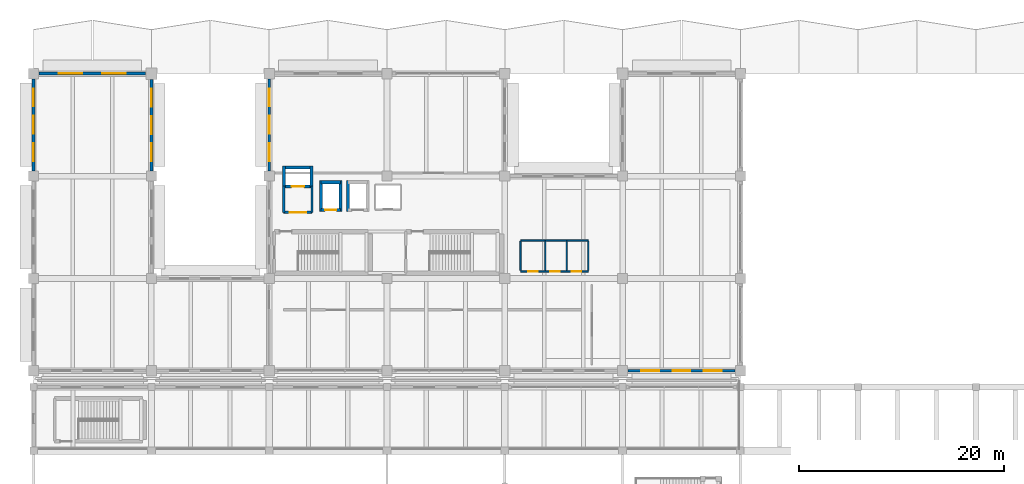
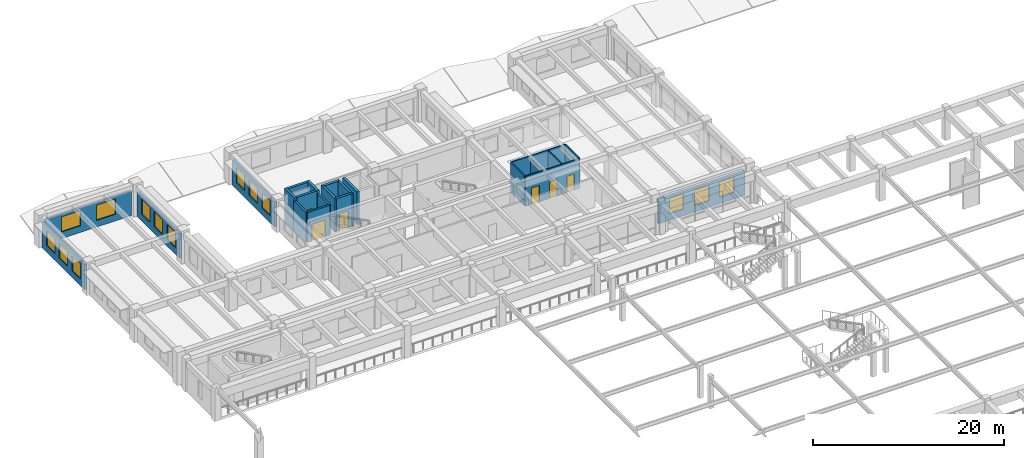
# One storey, part 74 of 98: 23 walls, 14 windows, 6 doors, 20 openings.
"""IFC4 building model written with IfcOpenShell, lengths in metres."""

from ifc_helpers import new_model, si_unit, direction, frame, frame_2d, origin, place, context, subcontext, project, spatial, rectangle, extrude, material, layer, layer_set, type_object, element, fill, save


model = new_model("IFC4")

# Units and contexts
model_context = context("Model", 3, precision=1e-05, world=origin(), true_north=direction((0.0, 1.0)))
body_context = subcontext(model_context, "Body", "Model", "MODEL_VIEW")
ifc_project = project(units=[si_unit("LENGTHUNIT", "METRE"), si_unit("AREAUNIT", "SQUARE_METRE"), si_unit("VOLUMEUNIT", "CUBIC_METRE"), si_unit("PLANEANGLEUNIT", "RADIAN"), si_unit("MASSUNIT", "GRAM", prefix="KILO")], contexts=[model_context])

# Site, building, storey
site_placement = place(None, origin())
site = spatial("IfcSite", under=ifc_project, at=site_placement, CompositionType="ELEMENT")
building_placement = place(site_placement, origin())
building = spatial("IfcBuilding", under=site, at=building_placement, Name="Ologun Quay Terminus", CompositionType="ELEMENT")
storey_placement = place(building_placement, frame((0.0, 0.0, 4.199951171875)))
storey = spatial("IfcBuildingStorey", under=building, at=storey_placement, Name="L01", CompositionType="ELEMENT", Elevation=4.199951171875)

# Wall, openings, windows
ifc_material_1 = material(Name="Concrete C40/50", Category="concrete")
ifc_layer_1 = layer(ifc_material_1, 0.280029296875)
ifc_layer_set_1 = layer_set([ifc_layer_1], Name="Concrete C40/50")
wall_type_1 = type_object("IfcWallType", Name="Courtyard Wing Spandrel Concrete Wall 280", PredefinedType="SOLIDWALL", material=ifc_layer_set_1)
wall_1_placement = place(storey_placement, frame((58.02001953125, 85.800048828125, 0.0), z_axis=(0.0, 0.0, 1.0), x_axis=(1.0, 0.0, 0.0)))
wall_1 = element("IfcWall", 1, at=wall_1_placement, inside=storey, type_object=wall_type_1, Name="EW-02 Facade Wall WEW-WW-O-L01-6", PredefinedType="SOLIDWALL", context=body_context, shape_type="SweptSolid", body=[
    extrude(rectangle(XDim=10.4599609375, YDim=0.280029296875, at=frame_2d((5.22998046875, 0.0))), origin(), (0.0, 0.0, 1.0), 3.150146484375),
])
opening_1_placement = place(wall_1_placement, frame((1.302490234375, 0.0, 0.85009765625)))
opening_1 = element("IfcOpeningElement", 2, at=opening_1_placement, cuts=wall_1, Name="Opening WN-200", PredefinedType="OPENING", context=body_context, shape_type="SweptSolid", body=[
    extrude(rectangle(XDim=1.75, YDim=1.949951171875, at=frame_2d((0.875, 0.97509765625))), frame((0.0, 0.14990234375, 0.0), z_axis=(0.0, -1.0, 0.0), x_axis=(1.0, 0.0, 0.0)), (0.0, 0.0, 1.0), 0.300048828125),
])
opening_2_placement = place(wall_1_placement, frame((4.35498046875, 0.0, 0.85009765625)))
opening_2 = element("IfcOpeningElement", 3, at=opening_2_placement, cuts=wall_1, Name="Opening WN-201", PredefinedType="OPENING", context=body_context, shape_type="SweptSolid", body=[
    extrude(rectangle(XDim=1.75, YDim=1.949951171875, at=frame_2d((0.875, 0.97509765625))), frame((0.0, 0.14990234375, 0.0), z_axis=(0.0, -1.0, 0.0), x_axis=(1.0, 0.0, 0.0)), (0.0, 0.0, 1.0), 0.300048828125),
])
opening_3_placement = place(wall_1_placement, frame((7.407470703125, 0.0, 0.85009765625)))
opening_3 = element("IfcOpeningElement", 4, at=opening_3_placement, cuts=wall_1, Name="Opening WN-202", PredefinedType="OPENING", context=body_context, shape_type="SweptSolid", body=[
    extrude(rectangle(XDim=1.75, YDim=1.949951171875, at=frame_2d((0.875, 0.97509765625))), frame((0.0, 0.14990234375, 0.0), z_axis=(0.0, -1.0, 0.0), x_axis=(1.0, 0.0, 0.0)), (0.0, 0.0, 1.0), 0.300048828125),
])
ifc_material_2 = material(Name="Glass", Category="glass")
window_type_1 = type_object("IfcWindowType", Name="Waterfront Pavilion Paired Window 1750x1950", PartitioningType="SINGLE_PANEL", PredefinedType="WINDOW", material=ifc_material_2)
window_1_placement = place(opening_1_placement, origin())
window_1 = element("IfcWindow", 5, at=window_1_placement, inside=storey, type_object=window_type_1, Name="W-12 Window WN-200", OverallHeight=1.949951171875, OverallWidth=1.75, PartitioningType="SINGLE_PANEL", PredefinedType="WINDOW", context=body_context, shape_type="SweptSolid", body=[
    extrude(rectangle(XDim=1.75, YDim=1.949951171875, at=frame_2d((0.875, 0.97509765625))), frame((0.0, 0.030029296875, 0.0), z_axis=(0.0, -1.0, 0.0), x_axis=(1.0, 0.0, 0.0)), (0.0, 0.0, 1.0), 0.06005859375),
])
fill(opening_1, window_1)
window_2_placement = place(opening_2_placement, origin())
window_2 = element("IfcWindow", 6, at=window_2_placement, inside=storey, type_object=window_type_1, Name="W-12 Window WN-201", OverallHeight=1.949951171875, OverallWidth=1.75, PartitioningType="SINGLE_PANEL", PredefinedType="WINDOW", context=body_context, shape_type="SweptSolid", body=[
    extrude(rectangle(XDim=1.75, YDim=1.949951171875, at=frame_2d((0.875, 0.97509765625))), frame((0.0, 0.030029296875, 0.0), z_axis=(0.0, -1.0, 0.0), x_axis=(1.0, 0.0, 0.0)), (0.0, 0.0, 1.0), 0.06005859375),
])
fill(opening_2, window_2)
window_3_placement = place(opening_3_placement, origin())
window_3 = element("IfcWindow", 7, at=window_3_placement, inside=storey, type_object=window_type_1, Name="W-12 Window WN-202", OverallHeight=1.949951171875, OverallWidth=1.75, PartitioningType="SINGLE_PANEL", PredefinedType="WINDOW", context=body_context, shape_type="SweptSolid", body=[
    extrude(rectangle(XDim=1.75, YDim=1.949951171875, at=frame_2d((0.875, 0.97509765625))), frame((0.0, 0.030029296875, 0.0), z_axis=(0.0, -1.0, 0.0), x_axis=(1.0, 0.0, 0.0)), (0.0, 0.0, 1.0), 0.06005859375),
])
fill(opening_3, window_3)

wall_2_placement = place(storey_placement, frame((23.0, 105.320068359375, 0.0), z_axis=(0.0, 0.0, 1.0), x_axis=(0.0, 1.0, 0.0)))
wall_2 = element("IfcWall", 8, at=wall_2_placement, inside=storey, type_object=wall_type_1, Name="EW-02 Facade Wall WEW-WW-O-L01-17", PredefinedType="SOLIDWALL", context=body_context, shape_type="SweptSolid", body=[
    extrude(rectangle(XDim=8.9599609375, YDim=0.280029296875, at=frame_2d((4.47998046875, 0.0))), origin(), (0.0, 0.0, 1.0), 3.150146484375),
])
opening_4_placement = place(wall_2_placement, frame((0.927490234375, 0.0, 0.85009765625)))
opening_4 = element("IfcOpeningElement", 9, at=opening_4_placement, cuts=wall_2, Name="Opening WN-219", PredefinedType="OPENING", context=body_context, shape_type="SweptSolid", body=[
    extrude(rectangle(XDim=1.75, YDim=1.949951171875, at=frame_2d((0.875, 0.97509765625))), frame((0.0, 0.14990234375, 0.0), z_axis=(0.0, -1.0, 0.0), x_axis=(1.0, 0.0, 0.0)), (0.0, 0.0, 1.0), 0.300048828125),
])
opening_5_placement = place(wall_2_placement, frame((3.60498046875, 0.0, 0.85009765625)))
opening_5 = element("IfcOpeningElement", 10, at=opening_5_placement, cuts=wall_2, Name="Opening WN-220", PredefinedType="OPENING", context=body_context, shape_type="SweptSolid", body=[
    extrude(rectangle(XDim=1.75, YDim=1.949951171875, at=frame_2d((0.875, 0.97509765625))), frame((0.0, 0.14990234375, 0.0), z_axis=(0.0, -1.0, 0.0), x_axis=(1.0, 0.0, 0.0)), (0.0, 0.0, 1.0), 0.300048828125),
])
opening_6_placement = place(wall_2_placement, frame((6.282470703125, 0.0, 0.85009765625)))
opening_6 = element("IfcOpeningElement", 11, at=opening_6_placement, cuts=wall_2, Name="Opening WN-221", PredefinedType="OPENING", context=body_context, shape_type="SweptSolid", body=[
    extrude(rectangle(XDim=1.75, YDim=1.949951171875, at=frame_2d((0.875, 0.97509765625))), frame((0.0, 0.14990234375, 0.0), z_axis=(0.0, -1.0, 0.0), x_axis=(1.0, 0.0, 0.0)), (0.0, 0.0, 1.0), 0.300048828125),
])
window_4_placement = place(opening_4_placement, origin())
window_4 = element("IfcWindow", 12, at=window_4_placement, inside=storey, type_object=window_type_1, Name="W-12 Window WN-219", OverallHeight=1.949951171875, OverallWidth=1.75, PartitioningType="SINGLE_PANEL", PredefinedType="WINDOW", context=body_context, shape_type="SweptSolid", body=[
    extrude(rectangle(XDim=1.75, YDim=1.949951171875, at=frame_2d((0.875, 0.97509765625))), frame((0.0, 0.030029296875, 0.0), z_axis=(0.0, -1.0, 0.0), x_axis=(1.0, 0.0, 0.0)), (0.0, 0.0, 1.0), 0.06005859375),
])
fill(opening_4, window_4)
window_5_placement = place(opening_5_placement, origin())
window_5 = element("IfcWindow", 13, at=window_5_placement, inside=storey, type_object=window_type_1, Name="W-12 Window WN-220", OverallHeight=1.949951171875, OverallWidth=1.75, PartitioningType="SINGLE_PANEL", PredefinedType="WINDOW", context=body_context, shape_type="SweptSolid", body=[
    extrude(rectangle(XDim=1.75, YDim=1.949951171875, at=frame_2d((0.875, 0.97509765625))), frame((0.0, 0.030029296875, 0.0), z_axis=(0.0, -1.0, 0.0), x_axis=(1.0, 0.0, 0.0)), (0.0, 0.0, 1.0), 0.06005859375),
])
fill(opening_5, window_5)
window_6_placement = place(opening_6_placement, origin())
window_6 = element("IfcWindow", 14, at=window_6_placement, inside=storey, type_object=window_type_1, Name="W-12 Window WN-221", OverallHeight=1.949951171875, OverallWidth=1.75, PartitioningType="SINGLE_PANEL", PredefinedType="WINDOW", context=body_context, shape_type="SweptSolid", body=[
    extrude(rectangle(XDim=1.75, YDim=1.949951171875, at=frame_2d((0.875, 0.97509765625))), frame((0.0, 0.030029296875, 0.0), z_axis=(0.0, -1.0, 0.0), x_axis=(1.0, 0.0, 0.0)), (0.0, 0.0, 1.0), 0.06005859375),
])
fill(opening_6, window_6)

wall_3_placement = place(storey_placement, frame((11.5, 105.320068359375, 0.0), z_axis=(0.0, 0.0, 1.0), x_axis=(0.0, 1.0, 0.0)))
wall_3 = element("IfcWall", 15, at=wall_3_placement, inside=storey, type_object=wall_type_1, Name="EW-02 Facade Wall WEW-WW-O-L01-20", PredefinedType="SOLIDWALL", context=body_context, shape_type="SweptSolid", body=[
    extrude(rectangle(XDim=8.909912109375, YDim=0.280029296875, at=frame_2d((4.455078125, 0.0))), origin(), (0.0, 0.0, 1.0), 3.150146484375),
])
opening_7_placement = place(wall_3_placement, frame((0.9150390625, 0.0, 0.85009765625)))
opening_7 = element("IfcOpeningElement", 16, at=opening_7_placement, cuts=wall_3, Name="Opening WN-228", PredefinedType="OPENING", context=body_context, shape_type="SweptSolid", body=[
    extrude(rectangle(XDim=1.75, YDim=1.949951171875, at=frame_2d((0.875, 0.97509765625))), frame((0.0, 0.14990234375, 0.0), z_axis=(0.0, -1.0, 0.0), x_axis=(1.0, 0.0, 0.0)), (0.0, 0.0, 1.0), 0.300048828125),
])
opening_8_placement = place(wall_3_placement, frame((3.580078125, 0.0, 0.85009765625)))
opening_8 = element("IfcOpeningElement", 17, at=opening_8_placement, cuts=wall_3, Name="Opening WN-229", PredefinedType="OPENING", context=body_context, shape_type="SweptSolid", body=[
    extrude(rectangle(XDim=1.75, YDim=1.949951171875, at=frame_2d((0.875, 0.97509765625))), frame((0.0, 0.14990234375, 0.0), z_axis=(0.0, -1.0, 0.0), x_axis=(1.0, 0.0, 0.0)), (0.0, 0.0, 1.0), 0.300048828125),
])
opening_9_placement = place(wall_3_placement, frame((6.2451171875, 0.0, 0.85009765625)))
opening_9 = element("IfcOpeningElement", 18, at=opening_9_placement, cuts=wall_3, Name="Opening WN-230", PredefinedType="OPENING", context=body_context, shape_type="SweptSolid", body=[
    extrude(rectangle(XDim=1.75, YDim=1.949951171875, at=frame_2d((0.875, 0.97509765625))), frame((0.0, 0.14990234375, 0.0), z_axis=(0.0, -1.0, 0.0), x_axis=(1.0, 0.0, 0.0)), (0.0, 0.0, 1.0), 0.300048828125),
])
window_7_placement = place(opening_7_placement, origin())
window_7 = element("IfcWindow", 19, at=window_7_placement, inside=storey, type_object=window_type_1, Name="W-12 Window WN-228", OverallHeight=1.949951171875, OverallWidth=1.75, PartitioningType="SINGLE_PANEL", PredefinedType="WINDOW", context=body_context, shape_type="SweptSolid", body=[
    extrude(rectangle(XDim=1.75, YDim=1.949951171875, at=frame_2d((0.875, 0.97509765625))), frame((0.0, 0.030029296875, 0.0), z_axis=(0.0, -1.0, 0.0), x_axis=(1.0, 0.0, 0.0)), (0.0, 0.0, 1.0), 0.06005859375),
])
fill(opening_7, window_7)
window_8_placement = place(opening_8_placement, origin())
window_8 = element("IfcWindow", 20, at=window_8_placement, inside=storey, type_object=window_type_1, Name="W-12 Window WN-229", OverallHeight=1.949951171875, OverallWidth=1.75, PartitioningType="SINGLE_PANEL", PredefinedType="WINDOW", context=body_context, shape_type="SweptSolid", body=[
    extrude(rectangle(XDim=1.75, YDim=1.949951171875, at=frame_2d((0.875, 0.97509765625))), frame((0.0, 0.030029296875, 0.0), z_axis=(0.0, -1.0, 0.0), x_axis=(1.0, 0.0, 0.0)), (0.0, 0.0, 1.0), 0.06005859375),
])
fill(opening_8, window_8)
window_9_placement = place(opening_9_placement, origin())
window_9 = element("IfcWindow", 21, at=window_9_placement, inside=storey, type_object=window_type_1, Name="W-12 Window WN-230", OverallHeight=1.949951171875, OverallWidth=1.75, PartitioningType="SINGLE_PANEL", PredefinedType="WINDOW", context=body_context, shape_type="SweptSolid", body=[
    extrude(rectangle(XDim=1.75, YDim=1.949951171875, at=frame_2d((0.875, 0.97509765625))), frame((0.0, 0.030029296875, 0.0), z_axis=(0.0, -1.0, 0.0), x_axis=(1.0, 0.0, 0.0)), (0.0, 0.0, 1.0), 0.06005859375),
])
fill(opening_9, window_9)

wall_4_placement = place(storey_placement, frame((0.52001953125, 114.800048828125, 0.0), z_axis=(0.0, 0.0, 1.0), x_axis=(1.0, 0.0, 0.0)))
wall_4 = element("IfcWall", 22, at=wall_4_placement, inside=storey, type_object=wall_type_1, Name="EW-02 Facade Wall WEW-WW-N-L01-21", PredefinedType="SOLIDWALL", context=body_context, shape_type="SweptSolid", body=[
    extrude(rectangle(XDim=10.409912109375, YDim=0.280029296875, at=frame_2d((5.205078125, 0.0))), origin(), (0.0, 0.0, 1.0), 3.150146484375),
])
opening_10_placement = place(wall_4_placement, frame((1.936767578125, 0.0, 0.85009765625)))
opening_10 = element("IfcOpeningElement", 23, at=opening_10_placement, cuts=wall_4, Name="Opening WN-231", PredefinedType="OPENING", context=body_context, shape_type="SweptSolid", body=[
    extrude(rectangle(XDim=2.300048828125, YDim=1.949951171875, at=frame_2d((1.14990234375, 0.97509765625))), frame((0.0, 0.14990234375, 0.0), z_axis=(0.0, -1.0, 0.0), x_axis=(1.0, 0.0, 0.0)), (0.0, 0.0, 1.0), 0.300048828125),
])
opening_11_placement = place(wall_4_placement, frame((6.17333984375, 0.0, 0.85009765625)))
opening_11 = element("IfcOpeningElement", 24, at=opening_11_placement, cuts=wall_4, Name="Opening WN-232", PredefinedType="OPENING", context=body_context, shape_type="SweptSolid", body=[
    extrude(rectangle(XDim=2.300048828125, YDim=1.949951171875, at=frame_2d((1.14990234375, 0.97509765625))), frame((0.0, 0.14990234375, 0.0), z_axis=(0.0, -1.0, 0.0), x_axis=(1.0, 0.0, 0.0)), (0.0, 0.0, 1.0), 0.300048828125),
])
ifc_material_3 = material(Name="Glass", Category="glass")
window_type_2 = type_object("IfcWindowType", Name="Waterfront Dining Ribbon Window 2300x1950", PartitioningType="SINGLE_PANEL", PredefinedType="WINDOW", material=ifc_material_3)
window_10_placement = place(opening_10_placement, origin())
window_10 = element("IfcWindow", 25, at=window_10_placement, inside=storey, type_object=window_type_2, Name="W-13 Window WN-231", OverallHeight=1.949951171875, OverallWidth=2.300048828125, PartitioningType="SINGLE_PANEL", PredefinedType="WINDOW", context=body_context, shape_type="SweptSolid", body=[
    extrude(rectangle(XDim=2.300048828125, YDim=1.949951171875, at=frame_2d((1.14990234375, 0.97509765625))), frame((0.0, 0.030029296875, 0.0), z_axis=(0.0, -1.0, 0.0), x_axis=(1.0, 0.0, 0.0)), (0.0, 0.0, 1.0), 0.06005859375),
])
fill(opening_10, window_10)
window_11_placement = place(opening_11_placement, origin())
window_11 = element("IfcWindow", 26, at=window_11_placement, inside=storey, type_object=window_type_2, Name="W-13 Window WN-232", OverallHeight=1.949951171875, OverallWidth=2.300048828125, PartitioningType="SINGLE_PANEL", PredefinedType="WINDOW", context=body_context, shape_type="SweptSolid", body=[
    extrude(rectangle(XDim=2.300048828125, YDim=1.949951171875, at=frame_2d((1.14990234375, 0.97509765625))), frame((0.0, 0.030029296875, 0.0), z_axis=(0.0, -1.0, 0.0), x_axis=(1.0, 0.0, 0.0)), (0.0, 0.0, 1.0), 0.06005859375),
])
fill(opening_11, window_11)

wall_5_placement = place(storey_placement, frame((0.0, 105.320068359375, 0.0), z_axis=(0.0, 0.0, 1.0), x_axis=(0.0, 1.0, 0.0)))
wall_5 = element("IfcWall", 27, at=wall_5_placement, inside=storey, type_object=wall_type_1, Name="EW-02 Facade Wall WEW-WW-O-L01-24", PredefinedType="SOLIDWALL", context=body_context, shape_type="SweptSolid", body=[
    extrude(rectangle(XDim=8.9599609375, YDim=0.280029296875, at=frame_2d((4.47998046875, 0.0))), origin(), (0.0, 0.0, 1.0), 3.25),
])
opening_12_placement = place(wall_5_placement, frame((0.927490234375, 0.0, 0.85009765625)))
opening_12 = element("IfcOpeningElement", 28, at=opening_12_placement, cuts=wall_5, Name="Opening WN-238", PredefinedType="OPENING", context=body_context, shape_type="SweptSolid", body=[
    extrude(rectangle(XDim=1.75, YDim=1.949951171875, at=frame_2d((0.875, 0.97509765625))), frame((0.0, 0.14990234375, 0.0), z_axis=(0.0, -1.0, 0.0), x_axis=(1.0, 0.0, 0.0)), (0.0, 0.0, 1.0), 0.300048828125),
])
opening_13_placement = place(wall_5_placement, frame((3.60498046875, 0.0, 0.85009765625)))
opening_13 = element("IfcOpeningElement", 29, at=opening_13_placement, cuts=wall_5, Name="Opening WN-239", PredefinedType="OPENING", context=body_context, shape_type="SweptSolid", body=[
    extrude(rectangle(XDim=1.75, YDim=1.949951171875, at=frame_2d((0.875, 0.97509765625))), frame((0.0, 0.14990234375, 0.0), z_axis=(0.0, -1.0, 0.0), x_axis=(1.0, 0.0, 0.0)), (0.0, 0.0, 1.0), 0.300048828125),
])
opening_14_placement = place(wall_5_placement, frame((6.282470703125, 0.0, 0.85009765625)))
opening_14 = element("IfcOpeningElement", 30, at=opening_14_placement, cuts=wall_5, Name="Opening WN-240", PredefinedType="OPENING", context=body_context, shape_type="SweptSolid", body=[
    extrude(rectangle(XDim=1.75, YDim=1.949951171875, at=frame_2d((0.875, 0.97509765625))), frame((0.0, 0.14990234375, 0.0), z_axis=(0.0, -1.0, 0.0), x_axis=(1.0, 0.0, 0.0)), (0.0, 0.0, 1.0), 0.300048828125),
])
window_12_placement = place(opening_12_placement, origin())
window_12 = element("IfcWindow", 31, at=window_12_placement, inside=storey, type_object=window_type_1, Name="W-12 Window WN-238", OverallHeight=1.949951171875, OverallWidth=1.75, PartitioningType="SINGLE_PANEL", PredefinedType="WINDOW", context=body_context, shape_type="SweptSolid", body=[
    extrude(rectangle(XDim=1.75, YDim=1.949951171875, at=frame_2d((0.875, 0.97509765625))), frame((0.0, 0.030029296875, 0.0), z_axis=(0.0, -1.0, 0.0), x_axis=(1.0, 0.0, 0.0)), (0.0, 0.0, 1.0), 0.06005859375),
])
fill(opening_12, window_12)
window_13_placement = place(opening_13_placement, origin())
window_13 = element("IfcWindow", 32, at=window_13_placement, inside=storey, type_object=window_type_1, Name="W-12 Window WN-239", OverallHeight=1.949951171875, OverallWidth=1.75, PartitioningType="SINGLE_PANEL", PredefinedType="WINDOW", context=body_context, shape_type="SweptSolid", body=[
    extrude(rectangle(XDim=1.75, YDim=1.949951171875, at=frame_2d((0.875, 0.97509765625))), frame((0.0, 0.030029296875, 0.0), z_axis=(0.0, -1.0, 0.0), x_axis=(1.0, 0.0, 0.0)), (0.0, 0.0, 1.0), 0.06005859375),
])
fill(opening_13, window_13)
window_14_placement = place(opening_14_placement, origin())
window_14 = element("IfcWindow", 33, at=window_14_placement, inside=storey, type_object=window_type_1, Name="W-12 Window WN-240", OverallHeight=1.949951171875, OverallWidth=1.75, PartitioningType="SINGLE_PANEL", PredefinedType="WINDOW", context=body_context, shape_type="SweptSolid", body=[
    extrude(rectangle(XDim=1.75, YDim=1.949951171875, at=frame_2d((0.875, 0.97509765625))), frame((0.0, 0.030029296875, 0.0), z_axis=(0.0, -1.0, 0.0), x_axis=(1.0, 0.0, 0.0)), (0.0, 0.0, 1.0), 0.06005859375),
])
fill(opening_14, window_14)

# Wall, opening, door
ifc_material_4 = material(Name="Concrete C40/50", Category="concrete")
ifc_layer_2 = layer(ifc_material_4, 0.239990234375)
ifc_layer_set_2 = layer_set([ifc_layer_2], Name="Concrete C40/50")
wall_type_2 = type_object("IfcWallType", Name="Fire Compartment Blockwork Wall 240", PredefinedType="SOLIDWALL", material=ifc_layer_set_2)
wall_6_placement = place(storey_placement, frame((24.419921875, 101.25, 0.0), z_axis=(0.0, 0.0, 1.0), x_axis=(1.0, 0.0, 0.0)))
wall_6 = element("IfcWall", 34, at=wall_6_placement, inside=storey, type_object=wall_type_2, Name="PW-01 Partition WFFL-S", PredefinedType="SOLIDWALL", context=body_context, shape_type="SweptSolid", body=[
    extrude(rectangle(XDim=2.760009765625, YDim=0.239990234375, at=frame_2d((1.3798828125, 0.0))), origin(), (0.0, 0.0, 1.0), 3.840087890625),
])
opening_15_placement = place(wall_6_placement, frame((0.580078125, 0.0, 0.0)))
opening_15 = element("IfcOpeningElement", 35, at=opening_15_placement, cuts=wall_6, Name="Opening ID-103", PredefinedType="OPENING", context=body_context, shape_type="SweptSolid", body=[
    extrude(rectangle(XDim=1.60009765625, YDim=2.14990234375, at=frame_2d((0.800048828125, 1.074951171875))), frame((0.0, 0.1298828125, 0.0), z_axis=(0.0, -1.0, 0.0), x_axis=(1.0, 0.0, 0.0)), (0.0, 0.0, 1.0), 0.260009765625),
])
ifc_material_5 = material(Name="Steel S355", Category="steel")
door_type_1 = type_object("IfcDoorType", Name="Firefighting Lobby Double Smoke Door 1600x2150", OperationType="DOUBLE_DOOR_SINGLE_SWING", PredefinedType="DOOR", material=ifc_material_5)
door_1_placement = place(opening_15_placement, origin())
door_1 = element("IfcDoor", 36, at=door_1_placement, inside=storey, type_object=door_type_1, Name="FD-02 Door ID-103", OperationType="DOUBLE_DOOR_SINGLE_SWING", OverallHeight=2.14990234375, OverallWidth=1.60009765625, PredefinedType="DOOR", context=body_context, shape_type="SweptSolid", body=[
    extrude(rectangle(XDim=1.60009765625, YDim=2.14990234375, at=frame_2d((0.800048828125, 1.074951171875))), frame((0.0, 0.02490234375, 0.0), z_axis=(0.0, -1.0, 0.0), x_axis=(1.0, 0.0, 0.0)), (0.0, 0.0, 1.0), 0.050048828125),
])
fill(opening_15, door_1)

# Walls
for number, where, z_axis, x_axis, name in (
    (37, (24.419921875, 101.25, 0.0), (0.0, 0.0, 1.0), (0.0, 1.0, 0.0), "PW-01 Partition WFFL-W"),
    (38, (27.179931640625, 101.25, 0.0), (0.0, 0.0, 1.0), (0.0, 1.0, 0.0), "PW-01 Partition WFFL-E"),
):
    element("IfcWall", number, at=place(storey_placement, frame(where, z_axis=z_axis, x_axis=x_axis)), inside=storey, type_object=wall_type_2, Name=name, PredefinedType="SOLIDWALL", context=body_context, shape_type="SweptSolid", body=[
        extrude(rectangle(XDim=2.60009765625, YDim=0.239990234375, at=frame_2d((1.300048828125, 0.0))), origin(), (0.0, 0.0, 1.0), 3.840087890625),
    ])

# Wall, opening, door
ifc_material_6 = material(Name="Concrete C40/50", Category="concrete")
ifc_layer_3 = layer(ifc_material_6, 0.300048828125)
ifc_layer_set_3 = layer_set([ifc_layer_3], Name="Concrete C40/50")
wall_type_3 = type_object("IfcWallType", Name="Lift Shaft Structural Shear Wall 300", PredefinedType="SHEAR", material=ifc_layer_set_3)
wall_7_placement = place(storey_placement, frame((24.449951171875, 103.780029296875, 0.0), z_axis=(0.0, 0.0, 1.0), x_axis=(1.0, 0.0, 0.0)))
wall_7 = element("IfcWall", 39, at=wall_7_placement, inside=storey, type_object=wall_type_3, Name="Lift FFL-01 Shaft Wall S L01", PredefinedType="SHEAR", context=body_context, shape_type="SweptSolid", body=[
    extrude(rectangle(XDim=2.699951171875, YDim=0.300048828125, at=frame_2d((1.35009765625, 0.0))), origin(), (0.0, 0.0, 1.0), 4.199951171875),
])
opening_16_placement = place(wall_7_placement, frame((0.75, 0.0, 0.0)))
opening_16 = element("IfcOpeningElement", 40, at=opening_16_placement, cuts=wall_7, Name="Opening ID-004", PredefinedType="OPENING", context=body_context, shape_type="SweptSolid", body=[
    extrude(rectangle(XDim=1.199951171875, YDim=2.14990234375, at=frame_2d((0.60009765625, 1.074951171875))), frame((0.0, 0.16015625, 0.0), z_axis=(0.0, -1.0, 0.0), x_axis=(1.0, 0.0, 0.0)), (0.0, 0.0, 1.0), 0.320068359375),
])
ifc_material_7 = material(Name="Steel S355", Category="steel")
door_type_2 = type_object("IfcDoorType", Name="Firefighting Lift Landing Sliding Door 1200x2150", OperationType="SLIDING_TO_RIGHT", PredefinedType="DOOR", material=ifc_material_7)
door_2_placement = place(opening_16_placement, origin())
door_2 = element("IfcDoor", 41, at=door_2_placement, inside=storey, type_object=door_type_2, Name="LD-02 Door ID-004", OperationType="SLIDING_TO_RIGHT", OverallHeight=2.14990234375, OverallWidth=1.199951171875, PredefinedType="DOOR", context=body_context, shape_type="SweptSolid", body=[
    extrude(rectangle(XDim=1.199951171875, YDim=2.14990234375, at=frame_2d((0.60009765625, 1.074951171875))), frame((0.0, 0.02490234375, 0.0), z_axis=(0.0, -1.0, 0.0), x_axis=(1.0, 0.0, 0.0)), (0.0, 0.0, 1.0), 0.050048828125),
])
fill(opening_16, door_2)

# Walls
wall_8_placement = place(storey_placement, frame((24.449951171875, 105.6201171875, 0.0), z_axis=(0.0, 0.0, 1.0), x_axis=(1.0, 0.0, 0.0)))
element("IfcWall", 42, at=wall_8_placement, inside=storey, type_object=wall_type_3, Name="Lift FFL-01 Shaft Wall N L01", PredefinedType="SHEAR", context=body_context, shape_type="SweptSolid", body=[
    extrude(rectangle(XDim=2.699951171875, YDim=0.300048828125, at=frame_2d((1.35009765625, 0.0))), origin(), (0.0, 0.0, 1.0), 4.199951171875),
])
for number, where, z_axis, x_axis, name in (
    (43, (24.449951171875, 103.6298828125, 0.0), (0.0, 0.0, 1.0), (0.0, 1.0, 0.0), "Lift FFL-01 Shaft Wall W L01"),
    (44, (27.14990234375, 103.6298828125, 0.0), (0.0, 0.0, 1.0), (0.0, 1.0, 0.0), "Lift FFL-01 Shaft Wall E L01"),
):
    element("IfcWall", number, at=place(storey_placement, frame(where, z_axis=z_axis, x_axis=x_axis)), inside=storey, type_object=wall_type_3, Name=name, PredefinedType="SHEAR", context=body_context, shape_type="SweptSolid", body=[
        extrude(rectangle(XDim=2.14013671875, YDim=0.300048828125, at=frame_2d((1.070068359375, 0.0))), origin(), (0.0, 0.0, 1.0), 4.199951171875),
    ])

# Wall, opening, door
wall_9_placement = place(storey_placement, frame((28.050048828125, 101.5, 0.0), z_axis=(0.0, 0.0, 1.0), x_axis=(1.0, 0.0, 0.0)))
wall_9 = element("IfcWall", 45, at=wall_9_placement, inside=storey, type_object=wall_type_3, Name="Lift PL-W1 Shaft Wall S L01", PredefinedType="SHEAR", context=body_context, shape_type="SweptSolid", body=[
    extrude(rectangle(XDim=1.89990234375, YDim=0.300048828125, at=frame_2d((0.949951171875, 0.0))), origin(), (0.0, 0.0, 1.0), 4.199951171875),
])
opening_17_placement = place(wall_9_placement, frame((0.39990234375, 0.0, 0.0)))
opening_17 = element("IfcOpeningElement", 46, at=opening_17_placement, cuts=wall_9, Name="Opening ID-019", PredefinedType="OPENING", context=body_context, shape_type="SweptSolid", body=[
    extrude(rectangle(XDim=1.10009765625, YDim=2.14990234375, at=frame_2d((0.550048828125, 1.074951171875))), frame((0.0, 0.16015625, 0.0), z_axis=(0.0, -1.0, 0.0), x_axis=(1.0, 0.0, 0.0)), (0.0, 0.0, 1.0), 0.320068359375),
])
ifc_material_8 = material(Name="Steel S355", Category="steel")
door_type_3 = type_object("IfcDoorType", Name="Lift Landing Sliding Door 1100x2150", OperationType="SLIDING_TO_LEFT", PredefinedType="DOOR", material=ifc_material_8)
door_3_placement = place(opening_17_placement, origin())
door_3 = element("IfcDoor", 47, at=door_3_placement, inside=storey, type_object=door_type_3, Name="LD-01 Door ID-019", OperationType="SLIDING_TO_LEFT", OverallHeight=2.14990234375, OverallWidth=1.10009765625, PredefinedType="DOOR", context=body_context, shape_type="SweptSolid", body=[
    extrude(rectangle(XDim=1.10009765625, YDim=2.14990234375, at=frame_2d((0.550048828125, 1.074951171875))), frame((0.0, 0.02490234375, 0.0), z_axis=(0.0, -1.0, 0.0), x_axis=(1.0, 0.0, 0.0)), (0.0, 0.0, 1.0), 0.050048828125),
])
fill(opening_17, door_3)

# Walls
wall_10_placement = place(storey_placement, frame((28.050048828125, 104.199951171875, 0.0), z_axis=(0.0, 0.0, 1.0), x_axis=(1.0, 0.0, 0.0)))
element("IfcWall", 48, at=wall_10_placement, inside=storey, type_object=wall_type_3, Name="Lift PL-W1 Shaft Wall N L01", PredefinedType="SHEAR", context=body_context, shape_type="SweptSolid", body=[
    extrude(rectangle(XDim=1.89990234375, YDim=0.300048828125, at=frame_2d((0.949951171875, 0.0))), origin(), (0.0, 0.0, 1.0), 4.199951171875),
])
for number, where, z_axis, x_axis, name in (
    (49, (28.050048828125, 101.35009765625, 0.0), (0.0, 0.0, 1.0), (0.0, 1.0, 0.0), "Lift PL-W1 Shaft Wall W L01"),
    (50, (29.949951171875, 101.35009765625, 0.0), (0.0, 0.0, 1.0), (0.0, 1.0, 0.0), "Lift PL-W1 Shaft Wall E L01"),
    (51, (30.699951171875, 101.35009765625, 0.0), (0.0, 0.0, 1.0), (0.0, 1.0, 0.0), "Lift PL-W2 Shaft Wall W L01"),
):
    element("IfcWall", number, at=place(storey_placement, frame(where, z_axis=z_axis, x_axis=x_axis)), inside=storey, type_object=wall_type_3, Name=name, PredefinedType="SHEAR", context=body_context, shape_type="SweptSolid", body=[
        extrude(rectangle(XDim=3.0, YDim=0.300048828125, at=frame_2d((1.5, 0.0))), origin(), (0.0, 0.0, 1.0), 4.199951171875),
    ])
ifc_material_9 = material(Name="Gypsum Acoustic Stud")
ifc_layer_4 = layer(ifc_material_9, 0.10498046875)
ifc_layer_set_4 = layer_set([ifc_layer_4], Name="Gypsum Acoustic Stud")
wall_type_4 = type_object("IfcWallType", Name="Light Cubicle Partition 105", PredefinedType="PARTITIONING", material=ifc_layer_set_4)
wall_11_placement = place(storey_placement, frame((49.949951171875, 95.60009765625, 0.0), z_axis=(0.0, 0.0, 1.0), x_axis=(0.0, 1.0, 0.0)))
element("IfcWall", 52, at=wall_11_placement, inside=storey, type_object=wall_type_4, Name="PW-13 Partition WWC-D1", PredefinedType="PARTITIONING", context=body_context, shape_type="SweptSolid", body=[
    extrude(rectangle(XDim=2.849853515625, YDim=0.10498046875, at=frame_2d((1.4248046875, 0.0))), origin(), (0.0, 0.0, 1.0), 3.400146484375),
])
wall_12_placement = place(storey_placement, frame((52.050048828125, 95.60009765625, 0.0), z_axis=(0.0, 0.0, 1.0), x_axis=(0.0, 1.0, 0.0)))
element("IfcWall", 53, at=wall_12_placement, inside=storey, type_object=wall_type_4, Name="PW-13 Partition WWC-D2", PredefinedType="PARTITIONING", context=body_context, shape_type="SweptSolid", body=[
    extrude(rectangle(XDim=2.849853515625, YDim=0.10498046875, at=frame_2d((1.4248046875, 0.0))), origin(), (0.0, 0.0, 1.0), 3.840087890625),
])

# Wall, openings, doors
ifc_material_10 = material(Name="Concrete C40/50", Category="concrete")
ifc_layer_5 = layer(ifc_material_10, 0.139892578125)
ifc_layer_set_5 = layer_set([ifc_layer_5], Name="Concrete C40/50")
wall_type_5 = type_object("IfcWallType", Name="Sanitary Wet-Area Blockwork Wall 140", PredefinedType="PLUMBINGWALL", material=ifc_layer_set_5)
wall_13_placement = place(storey_placement, frame((47.550048828125, 95.5, 0.0), z_axis=(0.0, 0.0, 1.0), x_axis=(1.0, 0.0, 0.0)))
wall_13 = element("IfcWall", 54, at=wall_13_placement, inside=storey, type_object=wall_type_5, Name="PW-06 Partition WWC-S", PredefinedType="PLUMBINGWALL", context=body_context, shape_type="SweptSolid", body=[
    extrude(rectangle(XDim=6.599853515625, YDim=0.139892578125, at=frame_2d((3.2998046875, 0.0))), origin(), (0.0, 0.0, 1.0), 3.840087890625),
])
opening_18_placement = place(wall_13_placement, frame((0.719970703125, 0.0, 0.0)))
opening_18 = element("IfcOpeningElement", 55, at=opening_18_placement, cuts=wall_13, Name="Opening ID-105", PredefinedType="OPENING", context=body_context, shape_type="SweptSolid", body=[
    extrude(rectangle(XDim=0.949951171875, YDim=2.10009765625, at=frame_2d((0.47509765625, 1.050048828125))), frame((0.0, 0.080078125, 0.0), z_axis=(0.0, -1.0, 0.0), x_axis=(1.0, 0.0, 0.0)), (0.0, 0.0, 1.0), 0.159912109375),
])
opening_19_placement = place(wall_13_placement, frame((2.89990234375, 0.0, 0.0)))
opening_19 = element("IfcOpeningElement", 56, at=opening_19_placement, cuts=wall_13, Name="Opening ID-106", PredefinedType="OPENING", context=body_context, shape_type="SweptSolid", body=[
    extrude(rectangle(XDim=0.919921875, YDim=2.10009765625, at=frame_2d((0.4599609375, 1.050048828125))), frame((0.0, 0.080078125, 0.0), z_axis=(0.0, -1.0, 0.0), x_axis=(1.0, 0.0, 0.0)), (0.0, 0.0, 1.0), 0.159912109375),
])
opening_20_placement = place(wall_13_placement, frame((5.0, 0.0, 0.0)))
opening_20 = element("IfcOpeningElement", 57, at=opening_20_placement, cuts=wall_13, Name="Opening ID-107", PredefinedType="OPENING", context=body_context, shape_type="SweptSolid", body=[
    extrude(rectangle(XDim=0.919921875, YDim=2.10009765625, at=frame_2d((0.4599609375, 1.050048828125))), frame((0.0, 0.080078125, 0.0), z_axis=(0.0, -1.0, 0.0), x_axis=(1.0, 0.0, 0.0)), (0.0, 0.0, 1.0), 0.159912109375),
])
ifc_material_11 = material(Name="Timber Hardwood", Category="wood")
door_type_4 = type_object("IfcDoorType", Name="Accessible WC Outward-Swing Door 950x2100", OperationType="SINGLE_SWING_LEFT", PredefinedType="DOOR", material=ifc_material_11)
door_4_placement = place(opening_18_placement, frame((0.47509765625, 0.0, 0.0), z_axis=(0.0, 0.0, 1.0), x_axis=(-1.0, 0.0, 0.0)))
door_4 = element("IfcDoor", 58, at=door_4_placement, inside=storey, type_object=door_type_4, Name="ID-04 Door ID-105", OperationType="SINGLE_SWING_LEFT", OverallHeight=2.10009765625, OverallWidth=0.949951171875, PredefinedType="DOOR", context=body_context, shape_type="SweptSolid", body=[
    extrude(rectangle(XDim=0.949951171875, YDim=2.10009765625, at=frame_2d((0.0, 1.050048828125))), frame((0.0, 0.02490234375, 0.0), z_axis=(0.0, -1.0, 0.0), x_axis=(1.0, 0.0, 0.0)), (0.0, 0.0, 1.0), 0.050048828125),
])
fill(opening_18, door_4)
ifc_material_12 = material(Name="Timber Hardwood", Category="wood")
door_type_5 = type_object("IfcDoorType", Name="Sanitary Block Entrance Door 920x2100", OperationType="SINGLE_SWING_RIGHT", PredefinedType="DOOR", material=ifc_material_12)
door_5_placement = place(opening_19_placement, origin())
door_5 = element("IfcDoor", 59, at=door_5_placement, inside=storey, type_object=door_type_5, Name="ID-05 Door ID-106", OperationType="SINGLE_SWING_RIGHT", OverallHeight=2.10009765625, OverallWidth=0.919921875, PredefinedType="DOOR", context=body_context, shape_type="SweptSolid", body=[
    extrude(rectangle(XDim=0.919921875, YDim=2.10009765625, at=frame_2d((0.4599609375, 1.050048828125))), frame((0.0, 0.02490234375, 0.0), z_axis=(0.0, -1.0, 0.0), x_axis=(1.0, 0.0, 0.0)), (0.0, 0.0, 1.0), 0.050048828125),
])
fill(opening_19, door_5)
door_6_placement = place(opening_20_placement, origin())
door_6 = element("IfcDoor", 60, at=door_6_placement, inside=storey, type_object=door_type_5, Name="ID-05 Door ID-107", OperationType="SINGLE_SWING_RIGHT", OverallHeight=2.10009765625, OverallWidth=0.919921875, PredefinedType="DOOR", context=body_context, shape_type="SweptSolid", body=[
    extrude(rectangle(XDim=0.919921875, YDim=2.10009765625, at=frame_2d((0.4599609375, 1.050048828125))), frame((0.0, 0.02490234375, 0.0), z_axis=(0.0, -1.0, 0.0), x_axis=(1.0, 0.0, 0.0)), (0.0, 0.0, 1.0), 0.050048828125),
])
fill(opening_20, door_6)

# Walls
for number, where, z_axis, x_axis, name in (
    (61, (47.550048828125, 95.60009765625, 0.0), (0.0, 0.0, 1.0), (0.0, 1.0, 0.0), "PW-06 Partition WWC-W"),
    (62, (54.14990234375, 95.60009765625, 0.0), (0.0, 0.0, 1.0), (0.0, 1.0, 0.0), "PW-06 Partition WWC-E"),
):
    element("IfcWall", number, at=place(storey_placement, frame(where, z_axis=z_axis, x_axis=x_axis)), inside=storey, type_object=wall_type_5, Name=name, PredefinedType="PLUMBINGWALL", context=body_context, shape_type="SweptSolid", body=[
        extrude(rectangle(XDim=2.849853515625, YDim=0.139892578125, at=frame_2d((1.4248046875, 0.0))), origin(), (0.0, 0.0, 1.0), 3.840087890625),
    ])
wall_14_placement = place(storey_placement, frame((47.550048828125, 98.5, 0.0), z_axis=(0.0, 0.0, 1.0), x_axis=(1.0, 0.0, 0.0)))
element("IfcWall", 63, at=wall_14_placement, inside=storey, type_object=wall_type_5, Name="PW-06 Partition WWC-N", PredefinedType="PLUMBINGWALL", context=body_context, shape_type="SweptSolid", body=[
    extrude(rectangle(XDim=6.599853515625, YDim=0.139892578125, at=frame_2d((3.2998046875, 0.0))), origin(), (0.0, 0.0, 1.0), 3.840087890625),
])

save(model, "model.ifc")
